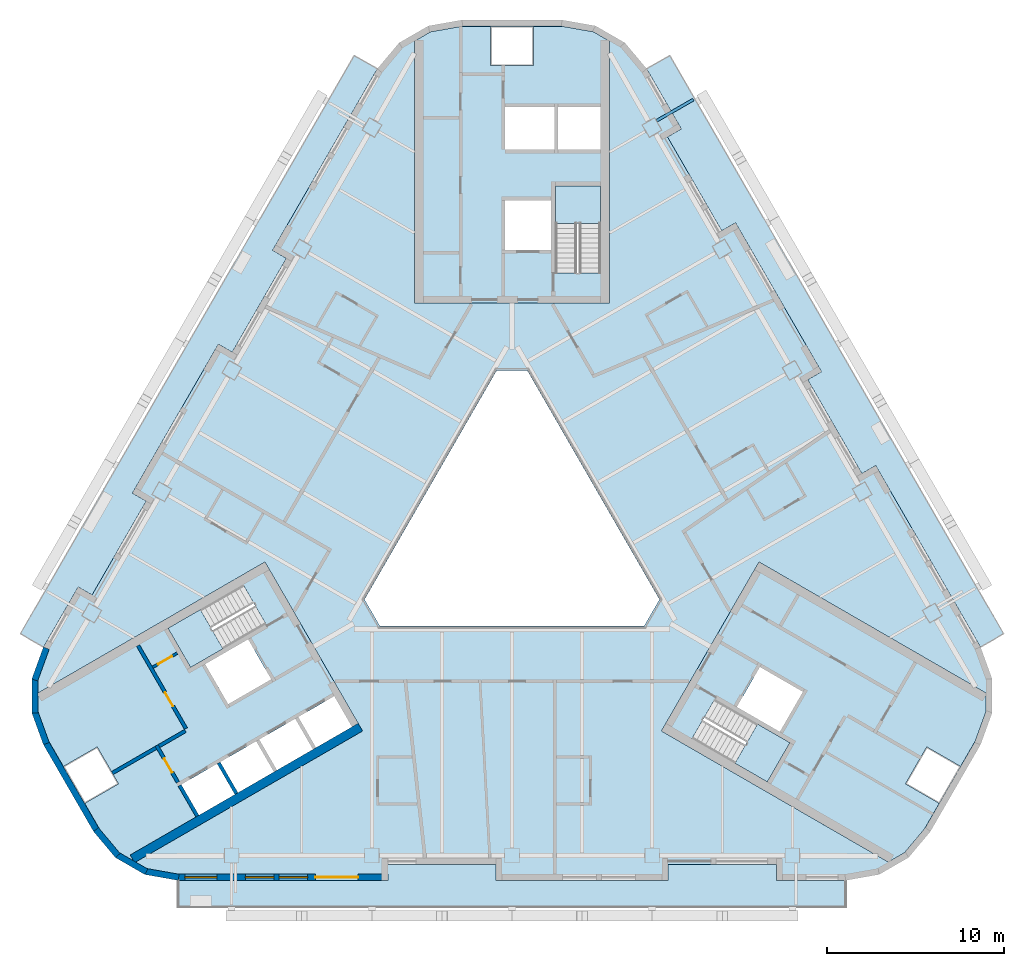
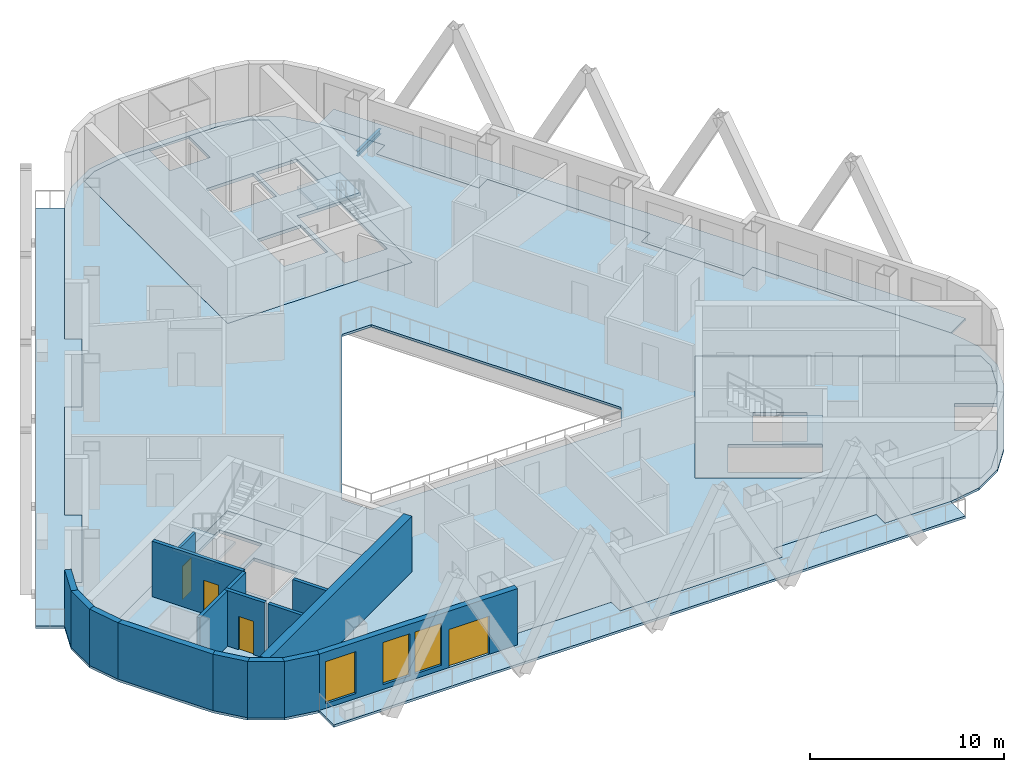
# One storey, part 2 of 13: 16 walls, 10 slabs, 4 doors, 3 windows, 1 beam, 7 openings, 3 elements without a shape of their own.
"""IFC4 building model written with IfcOpenShell, lengths in metres."""

from ifc_helpers import new_model, si_unit, direction, frame, frame_2d, origin, origin_2d, place, context, subcontext, project, spatial, polyline, rectangle, i_section, outline, extrude, material, layer, layer_set, material_profile, profile_set, type_object, element, fill, aggregate, save


model = new_model("IFC4")

# Units and contexts
model_context = context("Model", 3, precision=1e-05, world=origin(), true_north=direction((0.0, 1.0)))
body_context = subcontext(model_context, "Body", "Model", "MODEL_VIEW")
ifc_project = project(units=[si_unit("LENGTHUNIT", "METRE"), si_unit("AREAUNIT", "SQUARE_METRE"), si_unit("VOLUMEUNIT", "CUBIC_METRE"), si_unit("PLANEANGLEUNIT", "RADIAN"), si_unit("MASSUNIT", "GRAM", prefix="KILO")], contexts=[model_context])

# Site, building, storey
site_placement = place(None, origin())
site = spatial("IfcSite", under=ifc_project, at=site_placement, CompositionType="ELEMENT")
building_placement = place(site_placement, origin())
building = spatial("IfcBuilding", under=site, at=building_placement, Name="Apuvela Tower Hotel", CompositionType="ELEMENT")
storey_placement = place(building_placement, frame((0.0, 0.0, 161.39990234375)))
storey = spatial("IfcBuildingStorey", under=building, at=storey_placement, Name="L38", CompositionType="ELEMENT", Elevation=161.39990234375)

# Beam
ifc_material_1 = material(Name="Steel S355", Category="steel")
ifc_material_profile = material_profile(ifc_material_1, i_section(OverallWidth=0.159912109375, OverallDepth=0.330078125, WebThickness=0.007568359375, FlangeThickness=0.011474609375, at=origin_2d()), Name="IPE 330")
ifc_profile_set = profile_set([ifc_material_profile], Name="Steel S355")
beam_type = type_object("IfcBeamType", Name="ENV-BALCONY-BEAM-IPE330", PredefinedType="BEAM", material=ifc_profile_set)
beam_placement = place(storey_placement, frame((8.15576171875, 23.183837890625, -0.31494140625), z_axis=(0.866007538022, 0.500030943131, 0.0), x_axis=(-0.500030943131, 0.866007538022, 0.0)))
element("IfcBeam", 1, at=beam_placement, inside=storey, type_object=beam_type, Name="Balcony cantilever beam NE3 L38", PredefinedType="BEAM", context=body_context, shape_type="SweptSolid", body=[
    extrude(i_section(OverallWidth=0.159912109375, OverallDepth=0.330078125, WebThickness=0.007568359375, FlangeThickness=0.011474609375, at=origin_2d()), origin(), (0.0, 0.0, 1.0), 2.374755859375),
])

# Slabs
ifc_material_2 = material(Name="Concrete C50/60", Category="concrete")
ifc_layer_1 = layer(ifc_material_2, 0.199951171875)
ifc_layer_set_1 = layer_set([ifc_layer_1], Name="COR-FLOOR-200")
slab_type_1 = type_object("IfcSlabType", Name="COR-FLOOR-200", PredefinedType="FLOOR", material=ifc_layer_set_1)
slab_1_placement = place(storey_placement, frame((0.0, 0.0, -0.199951171875)))
element("IfcSlab", 2, at=slab_1_placement, inside=storey, type_object=slab_type_1, Name="Core floor N", PredefinedType="FLOOR", context=body_context, shape_type="SweptSolid", body=[
    extrude(outline(polyline([(5.5, 27.668212890625), (4.588623046875, 28.1943359375), (2.85498046875, 28.5), (1.199951171875, 28.5), (1.199951171875, 26.300048828125), (-1.199951171875, 26.300048828125), (-1.199951171875, 28.5), (-2.85498046875, 28.5), (-4.588623046875, 28.1943359375), (-5.5, 27.668212890625), (-5.5, 12.89990234375), (5.5, 12.89990234375), (5.5, 27.668212890625)]), holes=[polyline([(5.0, 14.60595703125), (2.449951171875, 14.60595703125), (2.449951171875, 19.5), (5.0, 19.5), (5.0, 14.60595703125)]), polyline([(2.199951171875, 15.89990234375), (-0.39990234375, 15.89990234375), (-0.39990234375, 18.699951171875), (2.199951171875, 18.699951171875), (2.199951171875, 15.89990234375)]), polyline([(5.0, 21.550048828125), (2.60009765625, 21.550048828125), (2.60009765625, 23.949951171875), (5.0, 23.949951171875), (5.0, 21.550048828125)]), polyline([(2.39990234375, 21.550048828125), (-0.39990234375, 21.550048828125), (-0.39990234375, 23.949951171875), (2.39990234375, 23.949951171875), (2.39990234375, 21.550048828125)])]), origin(), (0.0, 0.0, 1.0), 0.199951171875),
])
slab_2_placement = place(storey_placement, frame((0.0, 0.0, -0.199951171875)))
element("IfcSlab", 3, at=slab_2_placement, inside=storey, type_object=slab_type_1, Name="Core floor SW", PredefinedType="FLOOR", context=body_context, shape_type="SweptSolid", body=[
    extrude(outline(polyline([(-26.711181640625, -9.07080078125), (-26.711181640625, -10.123291015625), (-26.109375, -11.77734375), (-25.28173828125, -13.210693359375), (-23.37646484375, -12.11083984375), (-22.176513671875, -14.189208984375), (-24.081787109375, -15.289306640625), (-23.254150390625, -16.72265625), (-22.122802734375, -18.071044921875), (-21.211181640625, -18.59716796875), (-8.421630859375, -11.213134765625), (-13.921630859375, -1.68701171875), (-26.711181640625, -9.07080078125)]), holes=[polyline([(-10.01806640625, -9.248046875), (-9.01806640625, -10.97998046875), (-11.044677734375, -12.150146484375), (-12.044677734375, -10.418212890625), (-10.01806640625, -9.248046875)]), polyline([(-14.244384765625, -11.68798828125), (-12.2177734375, -10.51806640625), (-11.2177734375, -12.25), (-13.244384765625, -13.420166015625), (-14.244384765625, -11.68798828125)]), polyline([(-19.387451171875, -5.419921875), (-15.149169921875, -2.972900390625), (-13.874267578125, -5.18115234375), (-18.112548828125, -7.628173828125), (-19.387451171875, -5.419921875)]), polyline([(-14.869873046875, -6.044677734375), (-13.56982421875, -8.29638671875), (-15.99462890625, -9.6962890625), (-17.294677734375, -7.444580078125), (-14.869873046875, -6.044677734375)]), polyline([(-16.444091796875, -12.9580078125), (-14.41748046875, -11.7880859375), (-13.41748046875, -13.52001953125), (-15.444091796875, -14.690185546875), (-16.444091796875, -12.9580078125)]), polyline([(-18.643798828125, -14.22802734375), (-16.6171875, -13.05810546875), (-15.6171875, -14.7900390625), (-17.643798828125, -15.960205078125), (-18.643798828125, -14.22802734375)])]), origin(), (0.0, 0.0, 1.0), 0.199951171875),
])
slab_3_placement = place(storey_placement, frame((0.0, 0.0, -0.199951171875)))
element("IfcSlab", 4, at=slab_3_placement, inside=storey, type_object=slab_type_1, Name="Core floor SE", PredefinedType="FLOOR", context=body_context, shape_type="SweptSolid", body=[
    extrude(outline(polyline([(21.211181640625, -18.59716796875), (22.122802734375, -18.071044921875), (23.254150390625, -16.72265625), (24.081787109375, -15.289306640625), (22.176513671875, -14.189208984375), (23.37646484375, -12.11083984375), (25.28173828125, -13.210693359375), (26.109375, -11.77734375), (26.711181640625, -10.123291015625), (26.711181640625, -9.07080078125), (13.921630859375, -1.68701171875), (8.421630859375, -11.213134765625), (21.211181640625, -18.59716796875)]), holes=[polyline([(11.42431640625, -9.4248046875), (15.66259765625, -11.871826171875), (14.387451171875, -14.080078125), (10.149169921875, -11.633056640625), (11.42431640625, -9.4248046875)]), polyline([(13.9697265625, -7.603515625), (16.394775390625, -9.003662109375), (15.0947265625, -11.25537109375), (12.669921875, -9.855224609375), (13.9697265625, -7.603515625)])]), origin(), (0.0, 0.0, 1.0), 0.199951171875),
])

# Stair, slab
stair_type = type_object("IfcStairType", Name="COR-STAIR-22R", PredefinedType="HALF_TURN_STAIR", material=ifc_material_2)
stair_1_placement = place(storey_placement, origin())
stair_1 = element("IfcStair", 5, at=stair_1_placement, inside=storey, type_object=stair_type, Name="L38 Exit stair ST1", PredefinedType="HALF_TURN_STAIR")
ifc_layer_2 = layer(ifc_material_2, 0.199951171875)
ifc_layer_set_2 = layer_set([ifc_layer_2], Name="COR-LANDING-200")
slab_type_2 = type_object("IfcSlabType", Name="COR-LANDING-200", PredefinedType="LANDING", material=ifc_layer_set_2)
slab_4_placement = place(storey_placement, frame((0.0, 0.0, 1.650146484375)))
slab_4 = element("IfcSlab", 6, at=slab_4_placement, type_object=slab_type_2, Name="ST1 landing 1", PredefinedType="LANDING", context=body_context, shape_type="SweptSolid", body=[
    extrude(outline(polyline([(5.0, 17.39404296875), (5.0, 19.5), (2.449951171875, 19.5), (2.449951171875, 17.39404296875), (5.0, 17.39404296875)])), origin(), (0.0, 0.0, 1.0), 0.199951171875),
])
aggregate(stair_1, [slab_4])

stair_2_placement = place(storey_placement, origin())
stair_2 = element("IfcStair", 7, at=stair_2_placement, inside=storey, type_object=stair_type, Name="L38 Exit stair ST2", PredefinedType="HALF_TURN_STAIR")
slab_5_placement = place(storey_placement, frame((0.0, 0.0, 1.650146484375)))
slab_5 = element("IfcSlab", 8, at=slab_5_placement, type_object=slab_type_2, Name="ST2 landing 1", PredefinedType="LANDING", context=body_context, shape_type="SweptSolid", body=[
    extrude(outline(polyline([(-17.563720703125, -4.366943359375), (-19.387451171875, -5.419921875), (-18.112548828125, -7.628173828125), (-16.28857421875, -6.5751953125), (-17.563720703125, -4.366943359375)])), origin(), (0.0, 0.0, 1.0), 0.199951171875),
])
aggregate(stair_2, [slab_5])

stair_3_placement = place(storey_placement, origin())
stair_3 = element("IfcStair", 9, at=stair_3_placement, inside=storey, type_object=stair_type, Name="L38 Exit stair ST3", PredefinedType="HALF_TURN_STAIR")
slab_6_placement = place(storey_placement, frame((0.0, 0.0, 1.650146484375)))
slab_6 = element("IfcSlab", 10, at=slab_6_placement, type_object=slab_type_2, Name="ST3 landing 1", PredefinedType="LANDING", context=body_context, shape_type="SweptSolid", body=[
    extrude(outline(polyline([(12.563720703125, -13.027099609375), (14.387451171875, -14.080078125), (15.66259765625, -11.871826171875), (13.838623046875, -10.81884765625), (12.563720703125, -13.027099609375)])), origin(), (0.0, 0.0, 1.0), 0.199951171875),
])
aggregate(stair_3, [slab_6])

# Slabs
ifc_material_3 = material(Name="Concrete C40/50, fair-faced", Category="concrete")
ifc_layer_3 = layer(ifc_material_3, 0.14990234375)
ifc_layer_set_3 = layer_set([ifc_layer_3], Name="ENV-BALCONY-150")
slab_type_3 = type_object("IfcSlabType", Name="ENV-BALCONY-150", PredefinedType="FLOOR", material=ifc_layer_set_3)
slab_7_placement = place(storey_placement, frame((0.0, 0.0, -0.14990234375)))
element("IfcSlab", 11, at=slab_7_placement, inside=storey, type_object=slab_type_3, Name="Balcony slab S L38", PredefinedType="FLOOR", context=body_context, shape_type="SweptSolid", body=[
    extrude(outline(polyline([(18.82080078125, -21.135009765625), (-18.82080078125, -21.135009765625), (-18.82080078125, -19.625), (-7.0048828125, -19.625), (-7.0048828125, -18.72509765625), (-0.89501953125, -18.72509765625), (-0.89501953125, -19.625), (8.794921875, -19.625), (8.794921875, -18.72509765625), (14.905029296875, -18.72509765625), (14.905029296875, -19.625), (18.82080078125, -19.625), (18.82080078125, -21.135009765625)])), origin(), (0.0, 0.0, 1.0), 0.14990234375),
])
slab_8_placement = place(storey_placement, frame((0.0, 0.0, -0.14990234375)))
element("IfcSlab", 12, at=slab_8_placement, inside=storey, type_object=slab_type_3, Name="Balcony slab NE L38", PredefinedType="FLOOR", context=body_context, shape_type="SweptSolid", body=[
    extrude(outline(polyline([(17.443359375, 9.037353515625), (12.598388671875, 17.42919921875), (11.81884765625, 16.979248046875), (8.763916015625, 22.2705078125), (9.543212890625, 22.720703125), (7.585205078125, 26.11181640625), (8.89306640625, 26.86669921875), (27.7138671875, -5.731689453125), (26.40625, -6.48681640625), (20.498291015625, 3.74609375), (19.71875, 3.2958984375), (16.663818359375, 8.58740234375), (17.443359375, 9.037353515625)])), origin(), (0.0, 0.0, 1.0), 0.14990234375),
])
slab_9_placement = place(storey_placement, frame((0.0, 0.0, -0.14990234375)))
element("IfcSlab", 13, at=slab_9_placement, inside=storey, type_object=slab_type_3, Name="Balcony slab NW L38", PredefinedType="FLOOR", context=body_context, shape_type="SweptSolid", body=[
    extrude(outline(polyline([(-27.7138671875, -5.731689453125), (-8.89306640625, 26.86669921875), (-7.585205078125, 26.11181640625), (-13.4931640625, 15.87890625), (-12.7138671875, 15.428955078125), (-15.768798828125, 10.1376953125), (-16.548095703125, 10.587646484375), (-21.393310546875, 2.19580078125), (-20.61376953125, 1.745849609375), (-23.668701171875, -3.545654296875), (-24.4482421875, -3.095703125), (-26.40625, -6.48681640625), (-27.7138671875, -5.731689453125)])), origin(), (0.0, 0.0, 1.0), 0.14990234375),
])
ifc_material_4 = material(Name="Concrete C35/45", Category="concrete")
ifc_layer_4 = layer(ifc_material_4, 0.14990234375)
ifc_layer_set_4 = layer_set([ifc_layer_4], Name="STR-SLAB 150 floor Concrete C35/45")
slab_type_4 = type_object("IfcSlabType", Name="STR-SLAB 150 floor Concrete C35/45", PredefinedType="FLOOR", material=ifc_layer_set_4)
slab_10_placement = place(storey_placement, frame((0.0, 0.0, -0.14990234375)))
element("IfcSlab", 14, at=slab_10_placement, inside=storey, type_object=slab_type_4, Name="Floor slab S4 L38", PredefinedType="FLOOR", context=body_context, shape_type="SweptSolid", body=[
    extrude(outline(polyline([(-6.3642578125, 27.5732421875), (-4.710205078125, 28.5283203125), (-2.8291015625, 28.860107421875), (2.8291015625, 28.860107421875), (4.710205078125, 28.5283203125), (6.3642578125, 27.5732421875), (7.59228515625, 26.110107421875), (9.550048828125, 22.71875), (8.770751953125, 22.268798828125), (11.82080078125, 16.986083984375), (12.60009765625, 17.43603515625), (17.4501953125, 9.035400390625), (16.670654296875, 8.58544921875), (19.720703125, 3.302734375), (20.5, 3.752685546875), (26.407958984375, -6.47998046875), (27.061279296875, -8.27490234375), (27.061279296875, -10.18505859375), (26.407958984375, -11.97998046875), (23.5791015625, -16.8798828125), (22.351318359375, -18.34326171875), (20.697021484375, -19.29833984375), (18.81591796875, -19.6298828125), (14.89990234375, -19.6298828125), (14.89990234375, -18.72998046875), (8.800048828125, -18.72998046875), (8.800048828125, -19.6298828125), (-0.89990234375, -19.6298828125), (-0.89990234375, -18.72998046875), (-7.0, -18.72998046875), (-7.0, -19.6298828125), (-18.81591796875, -19.6298828125), (-20.697021484375, -19.29833984375), (-22.351318359375, -18.34326171875), (-23.5791015625, -16.8798828125), (-26.407958984375, -11.97998046875), (-27.061279296875, -10.18505859375), (-27.061279296875, -8.27490234375), (-26.407958984375, -6.47998046875), (-24.4501953125, -3.088623046875), (-23.670654296875, -3.538818359375), (-20.62060546875, 1.743896484375), (-21.400146484375, 2.194091796875), (-16.550048828125, 10.594482421875), (-15.7705078125, 10.14453125), (-12.720703125, 15.42724609375), (-13.5, 15.877197265625), (-7.59228515625, 26.110107421875), (-6.3642578125, 27.5732421875)]), holes=[polyline([(0.865966796875, 9.10009765625), (-0.865966796875, 9.10009765625), (-8.313720703125, -3.800048828125), (-7.44775390625, -5.300048828125), (7.44775390625, -5.300048828125), (8.313720703125, -3.800048828125), (0.865966796875, 9.10009765625)]), polyline([(-5.5, 12.89990234375), (-5.5, 27.668212890625), (-4.588623046875, 28.1943359375), (-2.85498046875, 28.5), (2.85498046875, 28.5), (4.588623046875, 28.1943359375), (5.5, 27.668212890625), (5.5, 12.89990234375), (-5.5, 12.89990234375)]), polyline([(-8.421630859375, -11.213134765625), (-21.211181640625, -18.59716796875), (-22.122802734375, -18.071044921875), (-23.254150390625, -16.72265625), (-26.109375, -11.77734375), (-26.711181640625, -10.123291015625), (-26.711181640625, -9.07080078125), (-13.921630859375, -1.68701171875), (-8.421630859375, -11.213134765625)]), polyline([(13.921630859375, -1.68701171875), (26.711181640625, -9.07080078125), (26.711181640625, -10.123291015625), (26.109375, -11.77734375), (23.254150390625, -16.72265625), (22.122802734375, -18.071044921875), (21.211181640625, -18.59716796875), (8.421630859375, -11.213134765625), (13.921630859375, -1.68701171875)])]), origin(), (0.0, 0.0, 1.0), 0.14990234375),
])

# Wall
ifc_layer_5 = layer(ifc_material_2, 0.5)
ifc_layer_set_5 = layer_set([ifc_layer_5], Name="COR-WALL-CORE-500")
wall_type_1 = type_object("IfcWallType", Name="COR-WALL-CORE-500", PredefinedType="SHEAR", material=ifc_layer_set_5)
wall_1_placement = place(storey_placement, frame((-8.546630859375, -10.99658203125, 0.0), z_axis=(0.0, 0.0, 1.0), x_axis=(-0.866025009528, -0.500000682871, 0.0)))
element("IfcWall", 15, at=wall_1_placement, inside=storey, type_object=wall_type_1, Name="Core wall SW", PredefinedType="SHEAR", context=body_context, shape_type="SweptSolid", body=[
    extrude(rectangle(XDim=14.8369140625, YDim=0.5, at=frame_2d((7.41845703125, 0.0))), origin(), (0.0, 0.0, 1.0), 3.5),
])

# Wall, opening, door
ifc_material_5 = material(Name="Blockwork 150 mm plastered", Category="masonry")
ifc_layer_6 = layer(ifc_material_5, 0.14990234375)
ifc_layer_set_6 = layer_set([ifc_layer_6], Name="COR-WALL-PART-150")
wall_type_2 = type_object("IfcWallType", Name="COR-WALL-PART-150", PredefinedType="PARTITIONING", material=ifc_layer_set_6)
wall_2_placement = place(storey_placement, frame((-18.866455078125, -6.822265625, 0.0), z_axis=(0.0, 0.0, 1.0), x_axis=(-0.866028054938, -0.499995408039, 0.0)))
wall_2 = element("IfcWall", 16, at=wall_2_placement, inside=storey, type_object=wall_type_2, Name="Partition SW", PredefinedType="PARTITIONING", context=body_context, shape_type="SweptSolid", body=[
    extrude(rectangle(XDim=1.60009765625, YDim=0.14990234375, at=frame_2d((0.800048828125, 0.0))), origin(), (0.0, 0.0, 1.0), 3.5),
])
opening_1_placement = place(wall_2_placement, frame((0.35009765625, 0.0, 0.0)))
opening_1 = element("IfcOpeningElement", 17, at=opening_1_placement, cuts=wall_2, Name="Opening W-RD", PredefinedType="OPENING", context=body_context, shape_type="SweptSolid", body=[
    extrude(rectangle(XDim=0.89990234375, YDim=2.10009765625, at=frame_2d((0.449951171875, 1.050048828125))), frame((0.0, 0.0849609375, 0.0), z_axis=(0.0, -1.0, 0.0), x_axis=(1.0, 0.0, 0.0)), (0.0, 0.0, 1.0), 0.169921875),
])
ifc_material_6 = material(Name="Steel access door, powder coated", Category="steel")
door_type_1 = type_object("IfcDoorType", Name="COR-RD-900", OperationType="NOTDEFINED", PredefinedType="DOOR", material=ifc_material_6)
door_1_placement = place(opening_1_placement, frame((0.89990234375, 0.0, 0.0), z_axis=(0.0, 0.0, 1.0), x_axis=(-1.0, 0.0, 0.0)))
door_1 = element("IfcDoor", 18, at=door_1_placement, inside=storey, type_object=door_type_1, Name="Riser door W-RD", OperationType="SINGLE_SWING_RIGHT", OverallHeight=2.10009765625, OverallWidth=0.89990234375, PredefinedType="DOOR", context=body_context, shape_type="SweptSolid", body=[
    extrude(rectangle(XDim=0.89990234375, YDim=2.10009765625, at=frame_2d((0.449951171875, 1.050048828125))), frame((0.0, 0.02490234375, 0.0), z_axis=(0.0, -1.0, 0.0), x_axis=(1.0, 0.0, 0.0)), (0.0, 0.0, 1.0), 0.050048828125),
])
fill(opening_1, door_1)

ifc_material_7 = material(Name="Blockwork 200 mm plastered", Category="masonry")
ifc_layer_7 = layer(ifc_material_7, 0.199951171875)
ifc_layer_set_7 = layer_set([ifc_layer_7], Name="COR-WALL-PART-200")
wall_type_3 = type_object("IfcWallType", Name="COR-WALL-PART-200", PredefinedType="PARTITIONING", material=ifc_layer_set_7)
wall_3_placement = place(storey_placement, frame((-21.076171875, -6.39501953125, 0.0), z_axis=(0.0, 0.0, 1.0), x_axis=(0.50001468107, -0.866016927499, 0.0)))
wall_3 = element("IfcWall", 19, at=wall_3_placement, inside=storey, type_object=wall_type_3, Name="Partition SW", PredefinedType="PARTITIONING", context=body_context, shape_type="SweptSolid", body=[
    extrude(rectangle(XDim=5.399658203125, YDim=0.199951171875, at=frame_2d((2.69970703125, 0.0))), origin(), (0.0, 0.0, 1.0), 3.5),
])
opening_2_placement = place(wall_3_placement, frame((3.050048828125, 0.0, 0.0)))
opening_2 = element("IfcOpeningElement", 20, at=opening_2_placement, cuts=wall_3, Name="Opening W-RS1", PredefinedType="OPENING", context=body_context, shape_type="SweptSolid", body=[
    extrude(rectangle(XDim=0.89990234375, YDim=2.10009765625, at=frame_2d((0.449951171875, 1.050048828125))), frame((0.0, 0.10986328125, 0.0), z_axis=(0.0, -1.0, 0.0), x_axis=(1.0, 0.0, 0.0)), (0.0, 0.0, 1.0), 0.219970703125),
])
ifc_material_8 = material(Name="Steel fire door, powder coated", Category="steel")
door_type_2 = type_object("IfcDoorType", Name="COR-DR-900", OperationType="NOTDEFINED", PredefinedType="DOOR", material=ifc_material_8)
door_2_placement = place(opening_2_placement, frame((0.89990234375, 0.0, 0.0), z_axis=(0.0, 0.0, 1.0), x_axis=(-1.0, 0.0, 0.0)))
door_2 = element("IfcDoor", 21, at=door_2_placement, inside=storey, type_object=door_type_2, Name="Store door W-RS1", OperationType="SINGLE_SWING_LEFT", OverallHeight=2.10009765625, OverallWidth=0.89990234375, PredefinedType="DOOR", context=body_context, shape_type="SweptSolid", body=[
    extrude(rectangle(XDim=0.89990234375, YDim=2.10009765625, at=frame_2d((0.449951171875, 1.050048828125))), frame((0.0, 0.02490234375, 0.0), z_axis=(0.0, -1.0, 0.0), x_axis=(1.0, 0.0, 0.0)), (0.0, 0.0, 1.0), 0.050048828125),
])
fill(opening_2, door_2)

ifc_layer_8 = layer(ifc_material_2, 0.199951171875)
ifc_layer_set_8 = layer_set([ifc_layer_8], Name="COR-WALL-SHAFT-200")
wall_type_4 = type_object("IfcWallType", Name="COR-WALL-SHAFT-200", PredefinedType="SHEAR", material=ifc_layer_set_8)
wall_4_placement = place(storey_placement, frame((-20.030517578125, -12.0263671875, 0.0), z_axis=(0.0, 0.0, 1.0), x_axis=(0.500033551112, -0.866006032174, 0.0)))
wall_4 = element("IfcWall", 22, at=wall_4_placement, inside=storey, type_object=wall_type_4, Name="Shaft wall SW", PredefinedType="SHEAR", context=body_context, shape_type="SweptSolid", body=[
    extrude(rectangle(XDim=2.400146484375, YDim=0.199951171875, at=frame_2d((1.2001953125, 0.0))), origin(), (0.0, 0.0, 1.0), 3.5),
])
opening_3_placement = place(wall_4_placement, frame((0.85009765625, 0.0, 0.0)))
opening_3 = element("IfcOpeningElement", 23, at=opening_3_placement, cuts=wall_4, Name="Opening W-REP", PredefinedType="OPENING", context=body_context, shape_type="SweptSolid", body=[
    extrude(rectangle(XDim=0.89990234375, YDim=2.10009765625, at=frame_2d((0.449951171875, 1.050048828125))), frame((0.0, 0.10986328125, 0.0), z_axis=(0.0, -1.0, 0.0), x_axis=(1.0, 0.0, 0.0)), (0.0, 0.0, 1.0), 0.219970703125),
])
door_3_placement = place(opening_3_placement, frame((0.89990234375, 0.0, 0.0), z_axis=(0.0, 0.0, 1.0), x_axis=(-1.0, 0.0, 0.0)))
door_3 = element("IfcDoor", 24, at=door_3_placement, inside=storey, type_object=door_type_2, Name="Store door W-REP", OperationType="SINGLE_SWING_LEFT", OverallHeight=2.10009765625, OverallWidth=0.89990234375, PredefinedType="DOOR", context=body_context, shape_type="SweptSolid", body=[
    extrude(rectangle(XDim=0.89990234375, YDim=2.10009765625, at=frame_2d((0.449951171875, 1.050048828125))), frame((0.0, 0.02490234375, 0.0), z_axis=(0.0, -1.0, 0.0), x_axis=(1.0, 0.0, 0.0)), (0.0, 0.0, 1.0), 0.050048828125),
])
fill(opening_3, door_3)

# Walls
wall_5_placement = place(storey_placement, frame((-18.412841796875, -11.2080078125, 0.0), z_axis=(0.0, 0.0, 1.0), x_axis=(-0.866038183914, -0.499977863513, 0.0)))
element("IfcWall", 25, at=wall_5_placement, inside=storey, type_object=wall_type_4, Name="Shaft wall SW", PredefinedType="SHEAR", context=body_context, shape_type="SweptSolid", body=[
    extrude(rectangle(XDim=1.7099609375, YDim=0.199951171875, at=frame_2d((0.85498046875, 0.0))), origin(), (0.0, 0.0, 1.0), 3.5),
])
for number, where, z_axis, x_axis, name in (
    (26, (-16.530517578125, -13.008056640625, 0.0), (0.0, 0.0, 1.0), (0.50002537861, -0.866010750942, 0.0), "Shaft wall SW"),
    (27, (-18.73046875, -14.278076171875, 0.0), (0.0, 0.0, 1.0), (0.50002537861, -0.866010750942, 0.0), "Shaft wall SW"),
):
    element("IfcWall", number, at=place(storey_placement, frame(where, z_axis=z_axis, x_axis=x_axis)), inside=storey, type_object=wall_type_4, Name=name, PredefinedType="SHEAR", context=body_context, shape_type="SweptSolid", body=[
        extrude(rectangle(XDim=2.0, YDim=0.199951171875, at=frame_2d((1.0, 0.0))), origin(), (0.0, 0.0, 1.0), 3.5),
    ])
wall_6_placement = place(storey_placement, frame((-20.06689453125, -12.1630859375, 0.0), z_axis=(0.0, 0.0, 1.0), x_axis=(-0.866055327414, -0.49994816717, 0.0)))
element("IfcWall", 28, at=wall_6_placement, inside=storey, type_object=wall_type_4, Name="Shaft wall SW", PredefinedType="SHEAR", context=body_context, shape_type="SweptSolid", body=[
    extrude(rectangle(XDim=2.840087890625, YDim=0.199951171875, at=frame_2d((1.419921875, 0.0))), origin(), (0.0, 0.0, 1.0), 3.5),
])
ifc_material_9 = material(Name="Concrete C40/50, dark pigmented precast panel", Category="concrete")
ifc_layer_9 = layer(ifc_material_9, 0.35009765625)
ifc_layer_set_9 = layer_set([ifc_layer_9], Name="ENV-WALL-350")
wall_type_5 = type_object("IfcWallType", Name="ENV-WALL-350", PredefinedType="SOLIDWALL", material=ifc_layer_set_9)
for number, where, z_axis, x_axis, name in (
    (29, (-26.24365234375, -6.539794921875, 0.0), (0.0, 0.0, 1.0), (-0.342030395486, -0.939688889242, 0.0), "External wall L38-10"),
    (30, (-26.88623046875, -8.27490234375, 0.0), (0.0, 0.0, 1.0), (0.0, -1.0, 0.0), "External wall L38-11"),
    (31, (-26.89697265625, -10.125244140625, 0.0), (0.0, 0.0, 1.0), (0.342030395486, -0.939688889242, 0.0), "External wall L38-12"),
):
    element("IfcWall", number, at=place(storey_placement, frame(where, z_axis=z_axis, x_axis=x_axis)), inside=storey, type_object=wall_type_5, Name=name, PredefinedType="SOLIDWALL", context=body_context, shape_type="SweptSolid", body=[
        extrude(rectangle(XDim=1.91015625, YDim=0.35009765625, at=frame_2d((0.955078125, 0.0))), origin(), (0.0, 0.0, 1.0), 3.550048828125),
    ])
wall_7_placement = place(storey_placement, frame((-26.256591796875, -11.892578125, 0.0), z_axis=(0.0, 0.0, 1.0), x_axis=(0.500018773155, -0.866014564827, 0.0)))
element("IfcWall", 32, at=wall_7_placement, inside=storey, type_object=wall_type_5, Name="External wall L38-13", PredefinedType="SOLIDWALL", context=body_context, shape_type="SweptSolid", body=[
    extrude(rectangle(XDim=5.657958984375, YDim=0.35009765625, at=frame_2d((2.8291015625, 0.0))), origin(), (0.0, 0.0, 1.0), 3.550048828125),
])
for number, where, z_axis, x_axis, name in (
    (33, (-23.44482421875, -16.767578125, 0.0), (0.0, 0.0, 1.0), (0.642733291068, -0.76609001857, 0.0), "External wall L38-14"),
    (34, (-22.263671875, -18.191650390625, 0.0), (0.0, 0.0, 1.0), (0.866000389056, -0.500043324278, 0.0), "External wall L38-15"),
):
    element("IfcWall", number, at=place(storey_placement, frame(where, z_axis=z_axis, x_axis=x_axis)), inside=storey, type_object=wall_type_5, Name=name, PredefinedType="SOLIDWALL", context=body_context, shape_type="SweptSolid", body=[
        extrude(rectangle(XDim=1.909912109375, YDim=0.35009765625, at=frame_2d((0.955078125, 0.0))), origin(), (0.0, 0.0, 1.0), 3.550048828125),
    ])
wall_8_placement = place(storey_placement, frame((-20.66650390625, -19.1259765625, 0.0), z_axis=(0.0, 0.0, 1.0), x_axis=(0.984798995425, -0.173697837091, 0.0)))
element("IfcWall", 35, at=wall_8_placement, inside=storey, type_object=wall_type_5, Name="External wall L38-16", PredefinedType="SOLIDWALL", context=body_context, shape_type="SweptSolid", body=[
    extrude(rectangle(XDim=1.91015625, YDim=0.35009765625, at=frame_2d((0.955078125, 0.0))), origin(), (0.0, 0.0, 1.0), 3.550048828125),
])

# Wall, openings, door, windows
wall_9_placement = place(storey_placement, frame((-18.81591796875, -19.455078125, 0.0), z_axis=(0.0, 0.0, 1.0), x_axis=(1.0, 0.0, 0.0)))
wall_9 = element("IfcWall", 36, at=wall_9_placement, inside=storey, type_object=wall_type_5, Name="External wall L38-17", PredefinedType="SOLIDWALL", context=body_context, shape_type="SweptSolid", body=[
    extrude(rectangle(XDim=11.81591796875, YDim=0.35009765625, at=frame_2d((5.907958984375, 0.0))), origin(), (0.0, 0.0, 1.0), 3.550048828125),
])
opening_4_placement = place(wall_9_placement, frame((0.380615234375, 0.0, 0.300048828125)))
opening_4 = element("IfcOpeningElement", 37, at=opening_4_placement, cuts=wall_9, Name="Opening WN18", PredefinedType="OPENING", context=body_context, shape_type="SweptSolid", body=[
    extrude(rectangle(XDim=1.800048828125, YDim=2.64990234375, at=frame_2d((0.89990234375, 1.324951171875))), frame((0.0, 0.18505859375, 0.0), z_axis=(0.0, -1.0, 0.0), x_axis=(1.0, 0.0, 0.0)), (0.0, 0.0, 1.0), 0.3701171875),
])
opening_5_placement = place(wall_9_placement, frame((7.740478515625, 0.0, 0.0)))
opening_5 = element("IfcOpeningElement", 38, at=opening_5_placement, cuts=wall_9, Name="Opening BD24", PredefinedType="OPENING", context=body_context, shape_type="SweptSolid", body=[
    extrude(rectangle(XDim=2.39990234375, YDim=2.39990234375, at=frame_2d((1.199951171875, 1.199951171875))), frame((0.0, 0.18505859375, 0.0), z_axis=(0.0, -1.0, 0.0), x_axis=(1.0, 0.0, 0.0)), (0.0, 0.0, 1.0), 0.3701171875),
])
opening_6_placement = place(wall_9_placement, frame((3.790771484375, 0.0, 0.300048828125)))
opening_6 = element("IfcOpeningElement", 39, at=opening_6_placement, cuts=wall_9, Name="Opening WN16", PredefinedType="OPENING", context=body_context, shape_type="SweptSolid", body=[
    extrude(rectangle(XDim=1.60009765625, YDim=2.64990234375, at=frame_2d((0.800048828125, 1.324951171875))), frame((0.0, 0.18505859375, 0.0), z_axis=(0.0, -1.0, 0.0), x_axis=(1.0, 0.0, 0.0)), (0.0, 0.0, 1.0), 0.3701171875),
])
opening_7_placement = place(wall_9_placement, frame((5.69091796875, 0.0, 0.300048828125)))
opening_7 = element("IfcOpeningElement", 40, at=opening_7_placement, cuts=wall_9, Name="Opening WN16", PredefinedType="OPENING", context=body_context, shape_type="SweptSolid", body=[
    extrude(rectangle(XDim=1.60009765625, YDim=2.64990234375, at=frame_2d((0.800048828125, 1.324951171875))), frame((0.0, 0.18505859375, 0.0), z_axis=(0.0, -1.0, 0.0), x_axis=(1.0, 0.0, 0.0)), (0.0, 0.0, 1.0), 0.3701171875),
])
ifc_material_10 = material(Name="Aluminium 6063-T6, dark bronze anodised frame with dark tinted laminated glass", Category="aluminium")
door_type_3 = type_object("IfcDoorType", Name="ENV-DOOR-BALCONY-2400x2400", OperationType="SLIDING_TO_LEFT", PredefinedType="DOOR", material=ifc_material_10)
door_4_placement = place(opening_5_placement, frame((2.39990234375, 0.0, 0.0), z_axis=(0.0, 0.0, 1.0), x_axis=(-1.0, 0.0, 0.0)))
door_4 = element("IfcDoor", 41, at=door_4_placement, inside=storey, type_object=door_type_3, Name="Balcony door BD24", OperationType="SLIDING_TO_LEFT", OverallHeight=2.39990234375, OverallWidth=2.39990234375, PredefinedType="DOOR", context=body_context, shape_type="SweptSolid", body=[
    extrude(rectangle(XDim=2.39990234375, YDim=2.39990234375, at=frame_2d((1.199951171875, 1.199951171875))), frame((0.0, 0.02490234375, 0.0), z_axis=(0.0, -1.0, 0.0), x_axis=(1.0, 0.0, 0.0)), (0.0, 0.0, 1.0), 0.050048828125),
])
fill(opening_5, door_4)
ifc_material_11 = material(Name="Glass, dark tinted laminated insulated glazing unit", Category="glass")
window_type_1 = type_object("IfcWindowType", Name="ENV-WIN-1600x2650", PartitioningType="SINGLE_PANEL", PredefinedType="WINDOW", material=ifc_material_11)
window_1_placement = place(opening_6_placement, origin())
window_1 = element("IfcWindow", 42, at=window_1_placement, inside=storey, type_object=window_type_1, Name="Window WN16", OverallHeight=2.64990234375, OverallWidth=1.60009765625, PartitioningType="SINGLE_PANEL", PredefinedType="WINDOW", context=body_context, shape_type="SweptSolid", body=[
    extrude(rectangle(XDim=1.60009765625, YDim=2.64990234375, at=frame_2d((0.800048828125, 1.324951171875))), frame((0.0, 0.030029296875, 0.0), z_axis=(0.0, -1.0, 0.0), x_axis=(1.0, 0.0, 0.0)), (0.0, 0.0, 1.0), 0.06005859375),
])
fill(opening_6, window_1)
window_2_placement = place(opening_7_placement, origin())
window_2 = element("IfcWindow", 43, at=window_2_placement, inside=storey, type_object=window_type_1, Name="Window WN16", OverallHeight=2.64990234375, OverallWidth=1.60009765625, PartitioningType="SINGLE_PANEL", PredefinedType="WINDOW", context=body_context, shape_type="SweptSolid", body=[
    extrude(rectangle(XDim=1.60009765625, YDim=2.64990234375, at=frame_2d((0.800048828125, 1.324951171875))), frame((0.0, 0.030029296875, 0.0), z_axis=(0.0, -1.0, 0.0), x_axis=(1.0, 0.0, 0.0)), (0.0, 0.0, 1.0), 0.06005859375),
])
fill(opening_7, window_2)
window_type_2 = type_object("IfcWindowType", Name="ENV-WIN-1800x2650", PartitioningType="SINGLE_PANEL", PredefinedType="WINDOW", material=ifc_material_11)
window_3_placement = place(opening_4_placement, origin())
window_3 = element("IfcWindow", 44, at=window_3_placement, inside=storey, type_object=window_type_2, Name="Window WN18", OverallHeight=2.64990234375, OverallWidth=1.800048828125, PartitioningType="SINGLE_PANEL", PredefinedType="WINDOW", context=body_context, shape_type="SweptSolid", body=[
    extrude(rectangle(XDim=1.800048828125, YDim=2.64990234375, at=frame_2d((0.89990234375, 1.324951171875))), frame((0.0, 0.030029296875, 0.0), z_axis=(0.0, -1.0, 0.0), x_axis=(1.0, 0.0, 0.0)), (0.0, 0.0, 1.0), 0.06005859375),
])
fill(opening_4, window_3)

save(model, "model.ifc")
